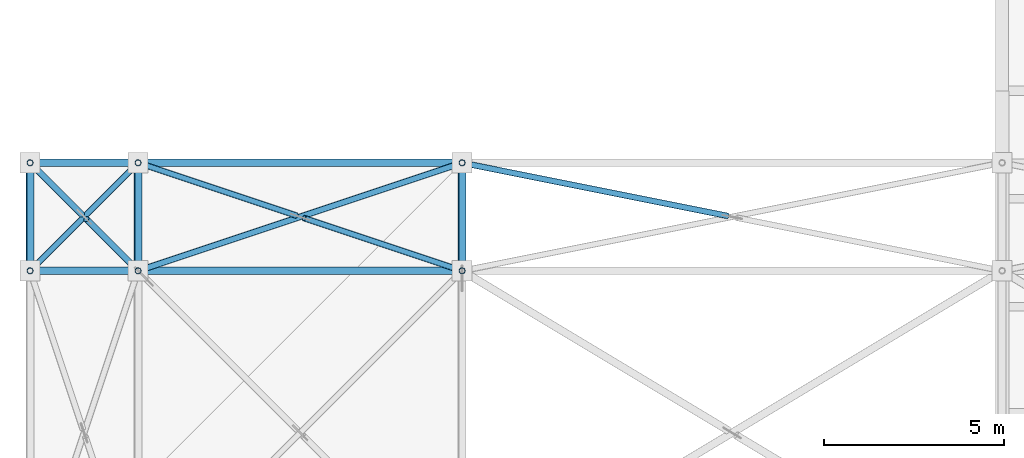
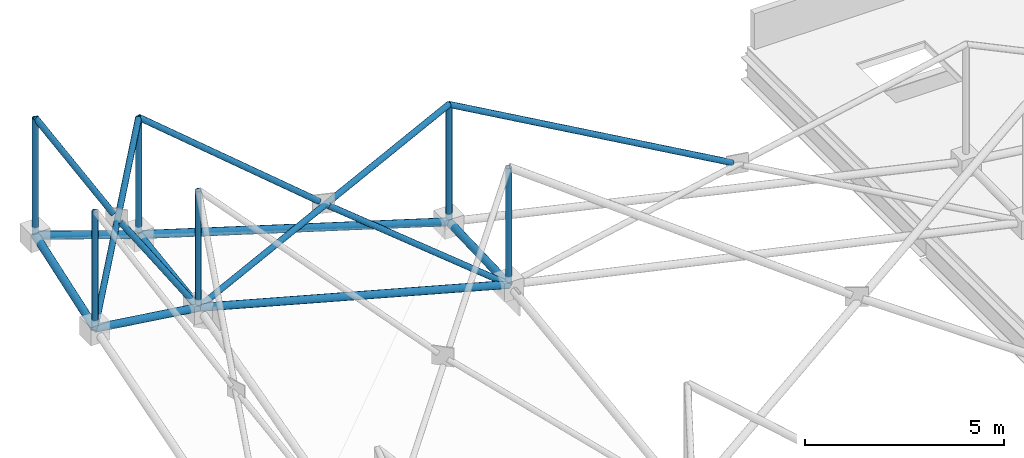
# One storey, part 86 of 224: 20 members.
"""IFC4 building model written with IfcOpenShell, lengths in metres."""

import ifcopenshell
import ifcopenshell.guid

model = None  # the IFC model being written
_history = None  # IfcOwnerHistory: only IFC2X3 demands one
_inside = {}  # id of a spatial element -> (the spatial element, [elements in it])
_under = {}  # id of a project, library or spatial element -> (it, [spatial elements below it])
_declared = {}  # id of a project -> (the project, [libraries it declares])
_typed = {}  # id of a type object -> (the type object, [elements of that type])
_made_of = {}  # id of a material, layer set ... -> (it, [elements and type objects made of it])


def new_model(schema):
    """Start an empty IFC model of exactly this schema.

    Asked for "IFC4X3", IfcOpenShell would pick the latest addendum, in which some entities
    have other attributes; the version numbers below select the first issue.
    IFC2X3 requires an IfcOwnerHistory on every rooted entity: one is made here for all.
    """
    global model, _history
    if schema == "IFC4X3":
        model = ifcopenshell.file(schema_version=(4, 3, 0, 0))
    else:
        model = ifcopenshell.file(schema=schema)
    _inside.clear()
    _under.clear()
    _declared.clear()
    _typed.clear()
    _made_of.clear()
    _history = None
    if model.schema == "IFC2X3":
        org = make("IfcOrganization", Name="unknown")
        user = make(
            "IfcPersonAndOrganization",
            ThePerson=make("IfcPerson", FamilyName="unknown"),
            TheOrganization=org,
        )
        app = make(
            "IfcApplication",
            ApplicationDeveloper=org,
            Version="unknown",
            ApplicationFullName="unknown",
            ApplicationIdentifier="unknown",
        )
        _history = make(
            "IfcOwnerHistory",
            OwningUser=user,
            OwningApplication=app,
            ChangeAction="ADDED",
            CreationDate=0,
        )
    return model


def make(cls, **values):
    """One entity of the class cls with the attributes given. An attribute that is None is left unset."""
    return model.create_entity(
        cls, **{name: value for name, value in values.items() if value is not None}
    )


def rooted(cls, **values):
    """An entity with a GlobalId (a new one), such as an element, a storey or a relation."""
    return make(cls, GlobalId=ifcopenshell.guid.new(), OwnerHistory=_history, **values)


def si_unit(unit_type, name, prefix=None):
    """IfcSIUnit, for example si_unit("LENGTHUNIT", "METRE", prefix="MILLI")."""
    return make("IfcSIUnit", UnitType=unit_type, Prefix=prefix, Name=name)


def assignment(units):
    """IfcUnitAssignment: the units of a project."""
    return None if units is None else make("IfcUnitAssignment", Units=units)


def point(xyz):
    """IfcCartesianPoint."""
    return None if xyz is None else make("IfcCartesianPoint", Coordinates=xyz)


def direction(xyz):
    """IfcDirection."""
    return None if xyz is None else make("IfcDirection", DirectionRatios=xyz)


def frame(location, z_axis=None, x_axis=None):
    """IfcAxis2Placement3D, a coordinate frame: its origin and axes. An axis left out is left unset."""
    return make(
        "IfcAxis2Placement3D",
        Location=point(location),
        Axis=direction(z_axis),
        RefDirection=direction(x_axis),
    )


def frame_2d(location, x_axis=None):
    """IfcAxis2Placement2D, a coordinate frame in the plane: its origin and x axis."""
    return make(
        "IfcAxis2Placement2D", Location=point(location), RefDirection=direction(x_axis)
    )


def origin():
    """The frame at (0, 0, 0) with its axes left unset."""
    return frame((0.0, 0.0, 0.0))


def origin_2d():
    """The frame at (0, 0) in the plane with its x axis left unset."""
    return frame_2d((0.0, 0.0))


def place(relative_to, where):
    """IfcLocalPlacement: puts the frame where relative to a parent placement (None: the world)."""
    return make(
        "IfcLocalPlacement", PlacementRelTo=relative_to, RelativePlacement=where
    )


def context(
    kind, dimensions, precision=None, world=None, true_north=None, identifier=None
):
    """IfcGeometricRepresentationContext, for example the 3D "Model" context."""
    return make(
        "IfcGeometricRepresentationContext",
        ContextIdentifier=identifier,
        ContextType=kind,
        CoordinateSpaceDimension=dimensions,
        Precision=precision,
        WorldCoordinateSystem=world,
        TrueNorth=true_north,
    )


def subcontext(parent, identifier, kind, view, scale=None):
    """IfcGeometricRepresentationSubContext, for example "Body" below "Model"."""
    return make(
        "IfcGeometricRepresentationSubContext",
        ContextIdentifier=identifier,
        ContextType=kind,
        ParentContext=parent,
        TargetScale=scale,
        TargetView=view,
    )


def project(units=None, contexts=None):
    """IfcProject with its units and contexts."""
    return rooted(
        "IfcProject",
        Name="project",
        RepresentationContexts=contexts,
        UnitsInContext=assignment(units),
    )


def spatial(cls, under=None, at=None, **own):
    """A site, building, storey or space (cls), placed at a placement, below another one or the project."""
    s = rooted(cls, ObjectPlacement=at, **own)
    if under is not None:
        _under.setdefault(under.id(), (under, []))[1].append(s)
    return s


def profile(cls, at=None, kind="AREA", **sizes):
    """A parametric profile (cls). Its sizes go by their IFC names, for example OverallWidth=200.0."""
    return make(cls, ProfileType=kind, Position=at, **sizes)


def hollow_circle(**sizes):
    """IfcCircleHollowProfileDef."""
    return profile("IfcCircleHollowProfileDef", **sizes)


def extrude(swept, where, along, depth):
    """IfcExtrudedAreaSolid: the profile swept, set in the frame where, extruded along a direction by depth."""
    return make(
        "IfcExtrudedAreaSolid",
        SweptArea=swept,
        Position=where,
        ExtrudedDirection=direction(along),
        Depth=depth,
    )


def shape(context_of_items, identifier, shape_type, items):
    """IfcShapeRepresentation: the items that make up one representation, for example the "Body"."""
    return make(
        "IfcShapeRepresentation",
        ContextOfItems=context_of_items,
        RepresentationIdentifier=identifier,
        RepresentationType=shape_type,
        Items=items,
    )


def material(Name=None, Category=None):
    """IfcMaterial."""
    return make("IfcMaterial", Name=Name, Category=Category)


def material_profile(
    of_material, cross_section, Name=None, Category=None, Priority=None
):
    """IfcMaterialProfile: a cross section and its material."""
    return make(
        "IfcMaterialProfile",
        Name=Name,
        Material=of_material,
        Profile=cross_section,
        Priority=Priority,
        Category=Category,
    )


def profile_set(profiles, Name=None, composite=None):
    """IfcMaterialProfileSet."""
    return make(
        "IfcMaterialProfileSet",
        Name=Name,
        MaterialProfiles=profiles,
        CompositeProfile=composite,
    )


def made_of(thing, what):
    """Note that an element or type object is made of a material, layer set ...; save() writes the relation."""
    if what is not None:
        _made_of.setdefault(what.id(), (what, []))[1].append(thing)
    return thing


def type_object(cls, material=None, **own):
    """A type object (cls), such as IfcWallType, which elements share."""
    return made_of(rooted(cls, **own), material)


def element(
    cls,
    number,
    at=None,
    inside=None,
    cuts=None,
    type_object=None,
    material=None,
    context=None,
    identifier="Body",
    shape_type=None,
    held_by="IfcProductDefinitionShape",
    body=None,
    shapes=None,
    **own,
):
    """One element of the class cls, such as IfcWall. Its Tag is "e" and its number.

    at: its placement. inside: the storey or other place that contains it. cuts: it is an
    opening in that element (IfcRelVoidsElement). A single representation is given by context,
    identifier, shape_type and body (its items); several are given by shapes. held_by: the class
    of the entity that holds the representations. save() writes the other relations.
    """
    e = rooted(cls, Tag="e%d" % number, ObjectPlacement=at, **own)
    if body is not None:
        shapes = [shape(context, identifier, shape_type, body)]
    if shapes is not None:
        e.Representation = make(held_by, Representations=shapes)
    if inside is not None:
        _inside.setdefault(inside.id(), (inside, []))[1].append(e)
    if cuts is not None:
        rooted(
            "IfcRelVoidsElement", RelatingBuildingElement=cuts, RelatedOpeningElement=e
        )
    if type_object is not None:
        _typed.setdefault(type_object.id(), (type_object, []))[1].append(e)
    return made_of(e, material)


def aggregate(whole, parts):
    """IfcRelAggregates: a whole, such as a stair, and the parts it consists of."""
    return rooted("IfcRelAggregates", RelatingObject=whole, RelatedObjects=parts)


def save(model, path):
    """Write the relations noted so far, then the file.

    IfcRelAggregates (storeys below a building ...), IfcRelContainedInSpatialStructure (elements
    in a storey), IfcRelDefinesByType, IfcRelAssociatesMaterial and IfcRelDeclares: one each for
    every whole, place, type object, material and project.
    """
    for whole, parts in _under.values():
        aggregate(whole, parts)
    for where, things in _inside.values():
        rooted(
            "IfcRelContainedInSpatialStructure",
            RelatedElements=things,
            RelatingStructure=where,
        )
    for kind, things in _typed.values():
        rooted("IfcRelDefinesByType", RelatedObjects=things, RelatingType=kind)
    for what, things in _made_of.values():
        rooted("IfcRelAssociatesMaterial", RelatedObjects=things, RelatingMaterial=what)
    for by, libraries in _declared.values():
        rooted("IfcRelDeclares", RelatingContext=by, RelatedDefinitions=libraries)
    model.write(path)


model = new_model("IFC4")

# Units and contexts
model_context = context("Model", 3, precision=1e-05, world=origin(), true_north=direction((0.0, 1.0)))
body_context = subcontext(model_context, "Body", "Model", "MODEL_VIEW")
ifc_project = project(units=[si_unit("LENGTHUNIT", "METRE"), si_unit("AREAUNIT", "SQUARE_METRE"), si_unit("VOLUMEUNIT", "CUBIC_METRE"), si_unit("PLANEANGLEUNIT", "RADIAN"), si_unit("MASSUNIT", "GRAM", prefix="KILO")], contexts=[model_context])

# Site, building, storey
site_placement = place(None, origin())
site = spatial("IfcSite", under=ifc_project, at=site_placement, CompositionType="ELEMENT")
building_placement = place(site_placement, origin())
building = spatial("IfcBuilding", under=site, at=building_placement, Name="Qamarlyn Nura Convention Centre", CompositionType="ELEMENT")
storey_placement = place(building_placement, frame((0.0, 0.0, 10.800048828125)))
storey = spatial("IfcBuildingStorey", under=building, at=storey_placement, Name="L02", CompositionType="ELEMENT", Elevation=10.800048828125)

# Members
ifc_material = material(Name="Pearl-white PVDF steel ASTM A500 Grade C", Category="steel")
ifc_material_profile_1 = material_profile(ifc_material, hollow_circle(Radius=0.109619140625, WallThickness=0.010009765625, at=origin_2d()), Name="CHS219.1X10")
ifc_profile_set_1 = profile_set([ifc_material_profile_1], Name="Pearl-white PVDF steel ASTM A500 Grade C")
member_type_1 = type_object("IfcMemberType", Name="SF-BC-EAVE", PredefinedType="CHORD", material=ifc_profile_set_1)
member_1_placement = place(storey_placement, frame((-12.0, 112.0, 9.363037109375), z_axis=(0.990685366619, 0.0, -0.136170864601), x_axis=(0.0, 1.0, 0.0)))
element("IfcMember", 1, at=member_1_placement, inside=storey, type_object=member_type_1, Name="ROOF TRUSS space frame bottom chord X0-8", PredefinedType="CHORD", context=body_context, shape_type="SweptSolid", body=[
    extrude(hollow_circle(Radius=0.109619140625, WallThickness=0.010009765625, at=origin_2d()), origin(), (0.0, 0.0, 1.0), 3.0283203125),
])
member_2_placement = place(storey_placement, frame((-9.0, 112.0, 8.95068359375), z_axis=(0.965021310393, 0.0, -0.262171452463), x_axis=(0.0, 1.0, 0.0)))
element("IfcMember", 2, at=member_2_placement, inside=storey, type_object=member_type_1, Name="ROOF TRUSS space frame bottom chord X1-8", PredefinedType="CHORD", context=body_context, shape_type="SweptSolid", body=[
    extrude(hollow_circle(Radius=0.109619140625, WallThickness=0.010009765625, at=origin_2d()), origin(), (0.0, 0.0, 1.0), 9.326171875),
])
member_3_placement = place(storey_placement, frame((-12.0, 115.0, 10.39990234375), z_axis=(0.945141424034, 0.0, -0.326661428049), x_axis=(0.0, 1.0, 0.0)))
element("IfcMember", 3, at=member_3_placement, inside=storey, type_object=member_type_1, Name="ROOF TRUSS space frame bottom chord X0-9", PredefinedType="CHORD", context=body_context, shape_type="SweptSolid", body=[
    extrude(hollow_circle(Radius=0.109619140625, WallThickness=0.010009765625, at=origin_2d()), origin(), (0.0, 0.0, 1.0), 3.174072265625),
])
member_4_placement = place(storey_placement, frame((-9.0, 115.0, 9.363037109375), z_axis=(0.956184693556, 0.0, -0.29276412316), x_axis=(0.0, 1.0, 0.0)))
element("IfcMember", 4, at=member_4_placement, inside=storey, type_object=member_type_1, Name="ROOF TRUSS space frame bottom chord X1-9", PredefinedType="CHORD", context=body_context, shape_type="SweptSolid", body=[
    extrude(hollow_circle(Radius=0.109619140625, WallThickness=0.010009765625, at=origin_2d()), origin(), (0.0, 0.0, 1.0), 9.412353515625),
])
member_5_placement = place(storey_placement, frame((-12.0, 112.0, 9.363037109375), z_axis=(0.0, 0.945141424034, 0.326661428049), x_axis=(-1.0, 0.0, 0.0)))
element("IfcMember", 5, at=member_5_placement, inside=storey, type_object=member_type_1, Name="ROOF TRUSS space frame bottom chord Y0-8", PredefinedType="CHORD", context=body_context, shape_type="SweptSolid", body=[
    extrude(hollow_circle(Radius=0.109619140625, WallThickness=0.010009765625, at=origin_2d()), origin(), (0.0, 0.0, 1.0), 3.174072265625),
])
member_6_placement = place(storey_placement, frame((-9.0, 112.0, 8.95068359375), z_axis=(0.0, 0.990685366619, 0.136170864601), x_axis=(-1.0, 0.0, 0.0)))
element("IfcMember", 6, at=member_6_placement, inside=storey, type_object=member_type_1, Name="ROOF TRUSS space frame bottom chord Y1-8", PredefinedType="CHORD", context=body_context, shape_type="SweptSolid", body=[
    extrude(hollow_circle(Radius=0.109619140625, WallThickness=0.010009765625, at=origin_2d()), origin(), (0.0, 0.0, 1.0), 3.0283203125),
])
member_7_placement = place(storey_placement, frame((0.0, 112.0, 6.505615234375), z_axis=(0.0, 0.999424686189, 0.033916023286), x_axis=(-1.0, 0.0, 0.0)))
element("IfcMember", 7, at=member_7_placement, inside=storey, type_object=member_type_1, Name="ROOF TRUSS space frame bottom chord Y2-8", PredefinedType="CHORD", context=body_context, shape_type="SweptSolid", body=[
    extrude(hollow_circle(Radius=0.109619140625, WallThickness=0.010009765625, at=origin_2d()), origin(), (0.0, 0.0, 1.0), 3.001708984375),
])
ifc_material_profile_2 = material_profile(ifc_material, hollow_circle(Radius=0.084228515625, WallThickness=0.008056640625, at=origin_2d()), Name="CHS168.3X8")
ifc_profile_set_2 = profile_set([ifc_material_profile_2], Name="Pearl-white PVDF steel ASTM A500 Grade C")
member_type_2 = type_object("IfcMemberType", Name="SF-WEB-STD", PredefinedType="BRACE", material=ifc_profile_set_2)
member_8_placement = place(storey_placement, frame((-12.0, 112.0, 9.363037109375), z_axis=(0.0, 0.0, 1.0), x_axis=(1.0, 0.0, 0.0)))
element("IfcMember", 8, at=member_8_placement, inside=storey, type_object=member_type_2, Name="ROOF TRUSS space frame vertical 0-8", PredefinedType="BRACE", context=body_context, shape_type="SweptSolid", body=[
    extrude(hollow_circle(Radius=0.084228515625, WallThickness=0.008056640625, at=origin_2d()), origin(), (0.0, 0.0, 1.0), 3.599853515625),
])
member_9_placement = place(storey_placement, frame((-12.0, 112.0, 9.363037109375), z_axis=(0.539173049679, 0.539173049679, 0.646981332806), x_axis=(-0.707106781187, 0.707106781187, 0.0)))
element("IfcMember", 9, at=member_9_placement, inside=storey, type_object=member_type_2, Name="ROOF TRUSS space frame diagonal A 0-8", PredefinedType="BRACE", context=body_context, shape_type="SweptSolid", body=[
    extrude(hollow_circle(Radius=0.084228515625, WallThickness=0.008056640625, at=origin_2d()), origin(), (0.0, 0.0, 1.0), 5.56396484375),
])
member_10_placement = place(storey_placement, frame((-9.0, 112.0, 8.95068359375), z_axis=(-0.472527800566, 0.472527800566, 0.743932090573), x_axis=(-0.707106781187, -0.707106781187, 0.0)))
element("IfcMember", 10, at=member_10_placement, inside=storey, type_object=member_type_2, Name="ROOF TRUSS space frame split diagonal B1 0-8", PredefinedType="BRACE", context=body_context, shape_type="SweptSolid", body=[
    extrude(hollow_circle(Radius=0.084228515625, WallThickness=0.008056640625, at=origin_2d()), origin(), (0.0, 0.0, 1.0), 3.03955078125),
])
member_11_placement = place(storey_placement, frame((-10.563720703125, 113.563720703125, 11.42626953125), z_axis=(-0.438063422633, 0.438063422633, 0.784984633928), x_axis=(-0.707106781187, -0.707106781187, 0.0)))
element("IfcMember", 11, at=member_11_placement, inside=storey, type_object=member_type_2, Name="ROOF TRUSS space frame split diagonal B2 0-8", PredefinedType="BRACE", context=body_context, shape_type="SweptSolid", body=[
    extrude(hollow_circle(Radius=0.084228515625, WallThickness=0.008056640625, at=origin_2d()), origin(), (0.0, 0.0, 1.0), 3.27880859375),
])
for number, where, z_axis, x_axis, name in (
    (12, (-12.0, 115.0, 10.39990234375), (0.0, 0.0, 1.0), (1.0, 0.0, 0.0), "ROOF TRUSS space frame vertical 0-9"),
    (13, (-9.0, 112.0, 8.95068359375), (0.0, 0.0, 1.0), (1.0, 0.0, 0.0), "ROOF TRUSS space frame vertical 1-8"),
):
    element("IfcMember", number, at=place(storey_placement, frame(where, z_axis=z_axis, x_axis=x_axis)), inside=storey, type_object=member_type_2, Name=name, PredefinedType="BRACE", context=body_context, shape_type="SweptSolid", body=[
        extrude(hollow_circle(Radius=0.084228515625, WallThickness=0.008056640625, at=origin_2d()), origin(), (0.0, 0.0, 1.0), 3.60009765625),
    ])
member_12_placement = place(storey_placement, frame((-9.0, 112.0, 8.95068359375), z_axis=(0.940469047179, 0.313489682393, 0.1313095211), x_axis=(-0.316227766017, 0.948683298051, 0.0)))
element("IfcMember", 14, at=member_12_placement, inside=storey, type_object=member_type_2, Name="ROOF TRUSS space frame diagonal A 1-8", PredefinedType="BRACE", context=body_context, shape_type="SweptSolid", body=[
    extrude(hollow_circle(Radius=0.084228515625, WallThickness=0.008056640625, at=origin_2d()), origin(), (0.0, 0.0, 1.0), 9.569580078125),
])
member_13_placement = place(storey_placement, frame((0.0, 112.0, 6.505615234375), z_axis=(-0.790360383049, 0.263453461016, 0.5531028284), x_axis=(-0.316227766017, -0.948683298051, 0.0)))
element("IfcMember", 15, at=member_13_placement, inside=storey, type_object=member_type_2, Name="ROOF TRUSS space frame split diagonal B1 1-8", PredefinedType="BRACE", context=body_context, shape_type="SweptSolid", body=[
    extrude(hollow_circle(Radius=0.084228515625, WallThickness=0.008056640625, at=origin_2d()), origin(), (0.0, 0.0, 1.0), 5.5546875),
])
member_14_placement = place(storey_placement, frame((-4.60986328125, 113.53662109375, 9.7353515625), z_axis=(-0.778121719483, 0.259373906494, 0.572059233209), x_axis=(-0.316227766017, -0.948683298051, 0.0)))
element("IfcMember", 16, at=member_14_placement, inside=storey, type_object=member_type_2, Name="ROOF TRUSS space frame split diagonal B2 1-8", PredefinedType="BRACE", context=body_context, shape_type="SweptSolid", body=[
    extrude(hollow_circle(Radius=0.084228515625, WallThickness=0.008056640625, at=origin_2d()), origin(), (0.0, 0.0, 1.0), 5.641845703125),
])
member_15_placement = place(storey_placement, frame((-9.0, 115.0, 9.363037109375), z_axis=(0.0, 0.0, 1.0), x_axis=(1.0, 0.0, 0.0)))
element("IfcMember", 17, at=member_15_placement, inside=storey, type_object=member_type_2, Name="ROOF TRUSS space frame vertical 1-9", PredefinedType="BRACE", context=body_context, shape_type="SweptSolid", body=[
    extrude(hollow_circle(Radius=0.084228515625, WallThickness=0.008056640625, at=origin_2d()), origin(), (0.0, 0.0, 1.0), 3.599853515625),
])
member_16_placement = place(storey_placement, frame((0.0, 112.0, 6.505615234375), z_axis=(0.0, 0.0, 1.0), x_axis=(1.0, 0.0, 0.0)))
element("IfcMember", 18, at=member_16_placement, inside=storey, type_object=member_type_2, Name="ROOF TRUSS space frame vertical 2-8", PredefinedType="BRACE", context=body_context, shape_type="SweptSolid", body=[
    extrude(hollow_circle(Radius=0.084228515625, WallThickness=0.008056640625, at=origin_2d()), origin(), (0.0, 0.0, 1.0), 3.60009765625),
])
member_17_placement = place(storey_placement, frame((7.375244140625, 113.52490234375, 6.729248046875), z_axis=(-0.890026533965, 0.178011199252, 0.419719884898), x_axis=(-0.196122377412, -0.980579427216, 0.0)))
element("IfcMember", 19, at=member_17_placement, inside=storey, type_object=member_type_2, Name="ROOF TRUSS space frame split diagonal B2 2-8", PredefinedType="BRACE", context=body_context, shape_type="SweptSolid", body=[
    extrude(hollow_circle(Radius=0.084228515625, WallThickness=0.008056640625, at=origin_2d()), origin(), (0.0, 0.0, 1.0), 8.28662109375),
])
member_18_placement = place(storey_placement, frame((0.0, 115.0, 6.607421875), z_axis=(0.0, 0.0, 1.0), x_axis=(1.0, 0.0, 0.0)))
element("IfcMember", 20, at=member_18_placement, inside=storey, type_object=member_type_2, Name="ROOF TRUSS space frame vertical 2-9", PredefinedType="BRACE", context=body_context, shape_type="SweptSolid", body=[
    extrude(hollow_circle(Radius=0.084228515625, WallThickness=0.008056640625, at=origin_2d()), origin(), (0.0, 0.0, 1.0), 3.599853515625),
])

save(model, "model.ifc")
